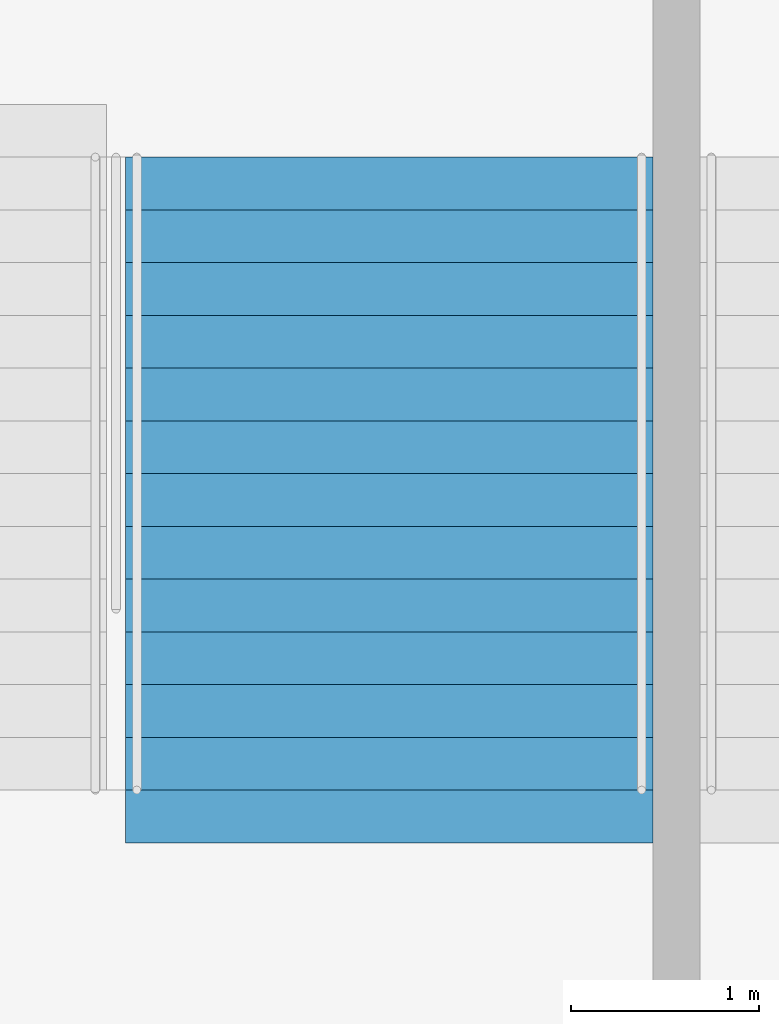
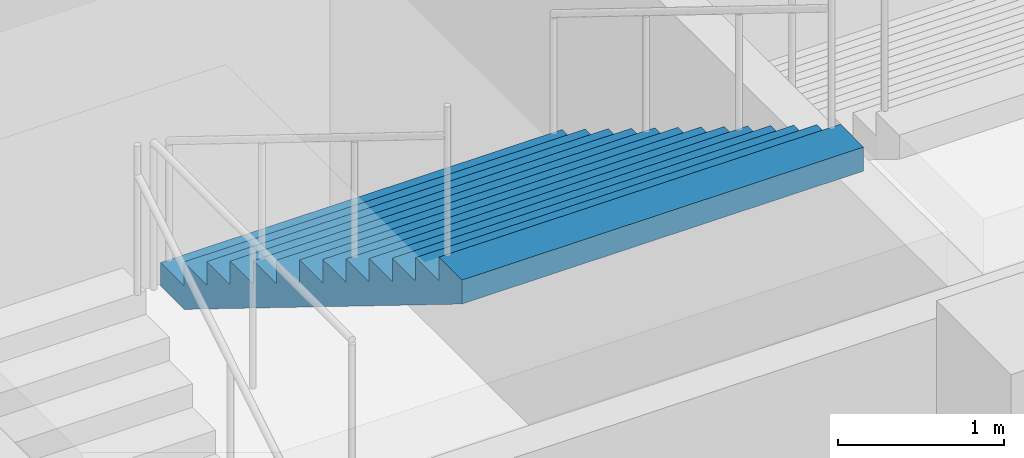
# One storey, part 133 of 175: 1 stair flight, 1 element without a shape of its own.
"""IFC4 building model written with IfcOpenShell, lengths in metres."""

from ifc_helpers import new_model, si_unit, direction, frame, origin, place, context, subcontext, project, spatial, faceted_brep, material, type_object, element, aggregate, save


model = new_model("IFC4")

# Units and contexts
model_context = context("Model", 3, precision=1e-05, world=origin(), true_north=direction((0.0, 1.0)))
body_context = subcontext(model_context, "Body", "Model", "MODEL_VIEW")
ifc_project = project(units=[si_unit("LENGTHUNIT", "METRE"), si_unit("AREAUNIT", "SQUARE_METRE"), si_unit("VOLUMEUNIT", "CUBIC_METRE"), si_unit("PLANEANGLEUNIT", "RADIAN"), si_unit("MASSUNIT", "GRAM", prefix="KILO")], contexts=[model_context])

# Site, building, storey
site_placement = place(None, origin())
site = spatial("IfcSite", under=ifc_project, at=site_placement, CompositionType="ELEMENT")
building_placement = place(site_placement, origin())
building = spatial("IfcBuilding", under=site, at=building_placement, Name="Ogive Plaza Stadium", CompositionType="ELEMENT")
storey_placement = place(building_placement, origin())
storey = spatial("IfcBuildingStorey", under=building, at=storey_placement, Name="L00", CompositionType="ELEMENT", Elevation=0.0)

# Stair, stair flight
ifc_material_1 = material(Name="Concrete C40/50", Category="concrete")
stair_type = type_object("IfcStairType", Name="Exit stair", PredefinedType="STRAIGHT_RUN_STAIR", material=ifc_material_1)
stair_placement = place(storey_placement, origin())
stair = element("IfcStair", 1, at=stair_placement, inside=storey, type_object=stair_type, Name="Exit stair ST34B L00 to L01", PredefinedType="STRAIGHT_RUN_STAIR")
ifc_material_2 = material(Name="Concrete C40/50", Category="concrete")
stair_flight_type = type_object("IfcStairFlightType", Name="Exit stair flight", PredefinedType="STRAIGHT", material=ifc_material_2)
stair_flight_placement = place(storey_placement, frame((-8.324951171875, 98.2099609375, 2.25), z_axis=(0.0, 0.0, 1.0), x_axis=(0.0, -1.0, 0.0)))
stair_flight = element("IfcStairFlight", 2, at=stair_flight_placement, type_object=stair_flight_type, Name="ST34B flight 2", NumberOfRisers=13, NumberOfTreads=12, PredefinedType="STRAIGHT", RiserHeight=0.173076923, TreadLength=0.28, context=body_context, shape_type="Brep", body=[
    faceted_brep([(0.28515625, -1.39990234375, 0.0), (3.639892578125, -1.39990234375, 2.07373046875), (3.639892578125, -1.39990234375, 2.25), (3.360107421875, -1.39990234375, 2.25), (3.360107421875, -1.39990234375, 2.076904296875), (3.080078125, -1.39990234375, 2.076904296875), (3.080078125, -1.39990234375, 1.90380859375), (2.800048828125, -1.39990234375, 1.90380859375), (2.800048828125, -1.39990234375, 1.730712890625), (2.52001953125, -1.39990234375, 1.730712890625), (2.52001953125, -1.39990234375, 1.5576171875), (2.239990234375, -1.39990234375, 1.5576171875), (2.239990234375, -1.39990234375, 1.384521484375), (1.9599609375, -1.39990234375, 1.384521484375), (1.9599609375, -1.39990234375, 1.21142578125), (1.679931640625, -1.39990234375, 1.21142578125), (1.679931640625, -1.39990234375, 1.03857421875), (1.39990234375, -1.39990234375, 1.03857421875), (1.39990234375, -1.39990234375, 0.865478515625), (1.1201171875, -1.39990234375, 0.865478515625), (1.1201171875, -1.39990234375, 0.6923828125), (0.840087890625, -1.39990234375, 0.6923828125), (0.840087890625, -1.39990234375, 0.519287109375), (0.56005859375, -1.39990234375, 0.519287109375), (0.56005859375, -1.39990234375, 0.34619140625), (0.280029296875, -1.39990234375, 0.34619140625), (0.280029296875, -1.39990234375, 0.173095703125), (0.0, -1.39990234375, 0.173095703125), (0.0, -1.39990234375, 0.0), (0.0, 1.39990234375, 0.0), (0.0, 1.39990234375, 0.173095703125), (0.280029296875, 1.39990234375, 0.173095703125), (0.280029296875, 1.39990234375, 0.34619140625), (0.56005859375, 1.39990234375, 0.34619140625), (0.56005859375, 1.39990234375, 0.519287109375), (0.840087890625, 1.39990234375, 0.519287109375), (0.840087890625, 1.39990234375, 0.6923828125), (1.1201171875, 1.39990234375, 0.6923828125), (1.1201171875, 1.39990234375, 0.865478515625), (1.39990234375, 1.39990234375, 0.865478515625), (1.39990234375, 1.39990234375, 1.03857421875), (1.679931640625, 1.39990234375, 1.03857421875), (1.679931640625, 1.39990234375, 1.21142578125), (1.9599609375, 1.39990234375, 1.21142578125), (1.9599609375, 1.39990234375, 1.384521484375), (2.239990234375, 1.39990234375, 1.384521484375), (2.239990234375, 1.39990234375, 1.5576171875), (2.52001953125, 1.39990234375, 1.5576171875), (2.52001953125, 1.39990234375, 1.730712890625), (2.800048828125, 1.39990234375, 1.730712890625), (2.800048828125, 1.39990234375, 1.90380859375), (3.080078125, 1.39990234375, 1.90380859375), (3.080078125, 1.39990234375, 2.076904296875), (3.360107421875, 1.39990234375, 2.076904296875), (3.360107421875, 1.39990234375, 2.25), (3.639892578125, 1.39990234375, 2.25), (3.639892578125, 1.39990234375, 2.07373046875), (0.28515625, 1.39990234375, 0.0), (0.28515625, -1.0888671875, 0.0), (3.639892578125, -1.0888671875, 2.07373046875), (0.28515625, -0.77783203125, 0.0), (3.639892578125, -0.77783203125, 2.07373046875), (0.28515625, -0.466796875, 0.0), (3.639892578125, -0.466796875, 2.07373046875), (0.28515625, -0.155517578125, 0.0), (3.639892578125, -0.155517578125, 2.07373046875), (0.28515625, 0.155517578125, 0.0), (3.639892578125, 0.155517578125, 2.07373046875), (0.28515625, 0.466796875, 0.0), (3.639892578125, 0.466796875, 2.07373046875), (0.28515625, 0.77783203125, 0.0), (3.639892578125, 0.77783203125, 2.07373046875), (0.28515625, 1.0888671875, 0.0), (3.639892578125, 1.0888671875, 2.07373046875), (3.639892578125, -1.0888671875, 2.25), (3.639892578125, -0.77783203125, 2.25), (3.639892578125, -0.466796875, 2.25), (3.639892578125, -0.155517578125, 2.25), (3.639892578125, 0.155517578125, 2.25), (3.639892578125, 0.466796875, 2.25), (3.639892578125, 0.77783203125, 2.25), (3.639892578125, 1.0888671875, 2.25), (3.360107421875, -1.0888671875, 2.25), (3.360107421875, -0.77783203125, 2.25), (3.360107421875, -0.466796875, 2.25), (3.360107421875, -0.155517578125, 2.25), (3.360107421875, 0.155517578125, 2.25), (3.360107421875, 0.466796875, 2.25), (3.360107421875, 0.77783203125, 2.25), (3.360107421875, 1.0888671875, 2.25), (3.360107421875, -1.0888671875, 2.076904296875), (3.360107421875, -0.77783203125, 2.076904296875), (3.360107421875, -0.466796875, 2.076904296875), (3.360107421875, -0.155517578125, 2.076904296875), (3.360107421875, 0.155517578125, 2.076904296875), (3.360107421875, 0.466796875, 2.076904296875), (3.360107421875, 0.77783203125, 2.076904296875), (3.360107421875, 1.0888671875, 2.076904296875), (3.080078125, -1.0888671875, 2.076904296875), (3.080078125, -0.77783203125, 2.076904296875), (3.080078125, -0.466796875, 2.076904296875), (3.080078125, -0.155517578125, 2.076904296875), (3.080078125, 0.155517578125, 2.076904296875), (3.080078125, 0.466796875, 2.076904296875), (3.080078125, 0.77783203125, 2.076904296875), (3.080078125, 1.0888671875, 2.076904296875), (3.080078125, -1.0888671875, 1.90380859375), (3.080078125, -0.77783203125, 1.90380859375), (3.080078125, -0.466796875, 1.90380859375), (3.080078125, -0.155517578125, 1.90380859375), (3.080078125, 0.155517578125, 1.90380859375), (3.080078125, 0.466796875, 1.90380859375), (3.080078125, 0.77783203125, 1.90380859375), (3.080078125, 1.0888671875, 1.90380859375), (2.800048828125, -1.0888671875, 1.90380859375), (2.800048828125, -0.77783203125, 1.90380859375), (2.800048828125, -0.466796875, 1.90380859375), (2.800048828125, -0.155517578125, 1.90380859375), (2.800048828125, 0.155517578125, 1.90380859375), (2.800048828125, 0.466796875, 1.90380859375), (2.800048828125, 0.77783203125, 1.90380859375), (2.800048828125, 1.0888671875, 1.90380859375), (2.800048828125, -1.0888671875, 1.730712890625), (2.800048828125, -0.77783203125, 1.730712890625), (2.800048828125, -0.466796875, 1.730712890625), (2.800048828125, -0.155517578125, 1.730712890625), (2.800048828125, 0.155517578125, 1.730712890625), (2.800048828125, 0.466796875, 1.730712890625), (2.800048828125, 0.77783203125, 1.730712890625), (2.800048828125, 1.0888671875, 1.730712890625), (2.52001953125, -1.0888671875, 1.730712890625), (2.52001953125, -0.77783203125, 1.730712890625), (2.52001953125, -0.466796875, 1.730712890625), (2.52001953125, -0.155517578125, 1.730712890625), (2.52001953125, 0.155517578125, 1.730712890625), (2.52001953125, 0.466796875, 1.730712890625), (2.52001953125, 0.77783203125, 1.730712890625), (2.52001953125, 1.0888671875, 1.730712890625), (2.52001953125, -1.0888671875, 1.5576171875), (2.52001953125, -0.77783203125, 1.5576171875), (2.52001953125, -0.466796875, 1.5576171875), (2.52001953125, -0.155517578125, 1.5576171875), (2.52001953125, 0.155517578125, 1.5576171875), (2.52001953125, 0.466796875, 1.5576171875), (2.52001953125, 0.77783203125, 1.5576171875), (2.52001953125, 1.0888671875, 1.5576171875), (2.239990234375, -1.0888671875, 1.5576171875), (2.239990234375, -0.77783203125, 1.5576171875), (2.239990234375, -0.466796875, 1.5576171875), (2.239990234375, -0.155517578125, 1.5576171875), (2.239990234375, 0.155517578125, 1.5576171875), (2.239990234375, 0.466796875, 1.5576171875), (2.239990234375, 0.77783203125, 1.5576171875), (2.239990234375, 1.0888671875, 1.5576171875), (2.239990234375, -1.0888671875, 1.384521484375), (2.239990234375, -0.77783203125, 1.384521484375), (2.239990234375, -0.466796875, 1.384521484375), (2.239990234375, -0.155517578125, 1.384521484375), (2.239990234375, 0.155517578125, 1.384521484375), (2.239990234375, 0.466796875, 1.384521484375), (2.239990234375, 0.77783203125, 1.384521484375), (2.239990234375, 1.0888671875, 1.384521484375), (1.9599609375, -1.0888671875, 1.384521484375), (1.9599609375, -0.77783203125, 1.384521484375), (1.9599609375, -0.466796875, 1.384521484375), (1.9599609375, -0.155517578125, 1.384521484375), (1.9599609375, 0.155517578125, 1.384521484375), (1.9599609375, 0.466796875, 1.384521484375), (1.9599609375, 0.77783203125, 1.384521484375), (1.9599609375, 1.0888671875, 1.384521484375), (1.9599609375, -1.0888671875, 1.21142578125), (1.9599609375, -0.77783203125, 1.21142578125), (1.9599609375, -0.466796875, 1.21142578125), (1.9599609375, -0.155517578125, 1.21142578125), (1.9599609375, 0.155517578125, 1.21142578125), (1.9599609375, 0.466796875, 1.21142578125), (1.9599609375, 0.77783203125, 1.21142578125), (1.9599609375, 1.0888671875, 1.21142578125), (1.679931640625, -1.0888671875, 1.21142578125), (1.679931640625, -0.77783203125, 1.21142578125), (1.679931640625, -0.466796875, 1.21142578125), (1.679931640625, -0.155517578125, 1.21142578125), (1.679931640625, 0.155517578125, 1.21142578125), (1.679931640625, 0.466796875, 1.21142578125), (1.679931640625, 0.77783203125, 1.21142578125), (1.679931640625, 1.0888671875, 1.21142578125), (1.679931640625, -1.0888671875, 1.03857421875), (1.679931640625, -0.77783203125, 1.03857421875), (1.679931640625, -0.466796875, 1.03857421875), (1.679931640625, -0.155517578125, 1.03857421875), (1.679931640625, 0.155517578125, 1.03857421875), (1.679931640625, 0.466796875, 1.03857421875), (1.679931640625, 0.77783203125, 1.03857421875), (1.679931640625, 1.0888671875, 1.03857421875), (1.39990234375, -1.0888671875, 1.03857421875), (1.39990234375, -0.77783203125, 1.03857421875), (1.39990234375, -0.466796875, 1.03857421875), (1.39990234375, -0.155517578125, 1.03857421875), (1.39990234375, 0.155517578125, 1.03857421875), (1.39990234375, 0.466796875, 1.03857421875), (1.39990234375, 0.77783203125, 1.03857421875), (1.39990234375, 1.0888671875, 1.03857421875), (1.39990234375, -1.0888671875, 0.865478515625), (1.39990234375, -0.77783203125, 0.865478515625), (1.39990234375, -0.466796875, 0.865478515625), (1.39990234375, -0.155517578125, 0.865478515625), (1.39990234375, 0.155517578125, 0.865478515625), (1.39990234375, 0.466796875, 0.865478515625), (1.39990234375, 0.77783203125, 0.865478515625), (1.39990234375, 1.0888671875, 0.865478515625), (1.1201171875, -1.0888671875, 0.865478515625), (1.1201171875, -0.77783203125, 0.865478515625), (1.1201171875, -0.466796875, 0.865478515625), (1.1201171875, -0.155517578125, 0.865478515625), (1.1201171875, 0.155517578125, 0.865478515625), (1.1201171875, 0.466796875, 0.865478515625), (1.1201171875, 0.77783203125, 0.865478515625), (1.1201171875, 1.0888671875, 0.865478515625), (1.1201171875, -1.0888671875, 0.6923828125), (1.1201171875, -0.77783203125, 0.6923828125), (1.1201171875, -0.466796875, 0.6923828125), (1.1201171875, -0.155517578125, 0.6923828125), (1.1201171875, 0.155517578125, 0.6923828125), (1.1201171875, 0.466796875, 0.6923828125), (1.1201171875, 0.77783203125, 0.6923828125), (1.1201171875, 1.0888671875, 0.6923828125), (0.840087890625, -1.0888671875, 0.6923828125), (0.840087890625, -0.77783203125, 0.6923828125), (0.840087890625, -0.466796875, 0.6923828125), (0.840087890625, -0.155517578125, 0.6923828125), (0.840087890625, 0.155517578125, 0.6923828125), (0.840087890625, 0.466796875, 0.6923828125), (0.840087890625, 0.77783203125, 0.6923828125), (0.840087890625, 1.0888671875, 0.6923828125), (0.840087890625, -1.0888671875, 0.519287109375), (0.840087890625, -0.77783203125, 0.519287109375), (0.840087890625, -0.466796875, 0.519287109375), (0.840087890625, -0.155517578125, 0.519287109375), (0.840087890625, 0.155517578125, 0.519287109375), (0.840087890625, 0.466796875, 0.519287109375), (0.840087890625, 0.77783203125, 0.519287109375), (0.840087890625, 1.0888671875, 0.519287109375), (0.56005859375, -1.0888671875, 0.519287109375), (0.56005859375, -0.77783203125, 0.519287109375), (0.56005859375, -0.466796875, 0.519287109375), (0.56005859375, -0.155517578125, 0.519287109375), (0.56005859375, 0.155517578125, 0.519287109375), (0.56005859375, 0.466796875, 0.519287109375), (0.56005859375, 0.77783203125, 0.519287109375), (0.56005859375, 1.0888671875, 0.519287109375), (0.56005859375, -1.0888671875, 0.34619140625), (0.56005859375, -0.77783203125, 0.34619140625), (0.56005859375, -0.466796875, 0.34619140625), (0.56005859375, -0.155517578125, 0.34619140625), (0.56005859375, 0.155517578125, 0.34619140625), (0.56005859375, 0.466796875, 0.34619140625), (0.56005859375, 0.77783203125, 0.34619140625), (0.56005859375, 1.0888671875, 0.34619140625), (0.280029296875, -1.0888671875, 0.34619140625), (0.280029296875, -0.77783203125, 0.34619140625), (0.280029296875, -0.466796875, 0.34619140625), (0.280029296875, -0.155517578125, 0.34619140625), (0.280029296875, 0.155517578125, 0.34619140625), (0.280029296875, 0.466796875, 0.34619140625), (0.280029296875, 0.77783203125, 0.34619140625), (0.280029296875, 1.0888671875, 0.34619140625), (0.280029296875, -1.0888671875, 0.173095703125), (0.280029296875, -0.77783203125, 0.173095703125), (0.280029296875, -0.466796875, 0.173095703125), (0.280029296875, -0.155517578125, 0.173095703125), (0.280029296875, 0.155517578125, 0.173095703125), (0.280029296875, 0.466796875, 0.173095703125), (0.280029296875, 0.77783203125, 0.173095703125), (0.280029296875, 1.0888671875, 0.173095703125), (0.0, -1.0888671875, 0.173095703125), (0.0, -0.77783203125, 0.173095703125), (0.0, -0.466796875, 0.173095703125), (0.0, -0.155517578125, 0.173095703125), (0.0, 0.155517578125, 0.173095703125), (0.0, 0.466796875, 0.173095703125), (0.0, 0.77783203125, 0.173095703125), (0.0, 1.0888671875, 0.173095703125), (0.0, -1.0888671875, 0.0), (0.0, -0.77783203125, 0.0), (0.0, -0.466796875, 0.0), (0.0, -0.155517578125, 0.0), (0.0, 0.155517578125, 0.0), (0.0, 0.466796875, 0.0), (0.0, 0.77783203125, 0.0), (0.0, 1.0888671875, 0.0)], [[[0, 1, 2, 3, 4, 5, 6, 7, 8, 9, 10, 11, 12, 13, 14, 15, 16, 17, 18, 19, 20, 21, 22, 23, 24, 25, 26, 27, 28]], [[29, 30, 31, 32, 33, 34, 35, 36, 37, 38, 39, 40, 41, 42, 43, 44, 45, 46, 47, 48, 49, 50, 51, 52, 53, 54, 55, 56, 57]], [[0, 58, 59, 1]], [[58, 60, 61, 59]], [[60, 62, 63, 61]], [[62, 64, 65, 63]], [[64, 66, 67, 65]], [[66, 68, 69, 67]], [[68, 70, 71, 69]], [[70, 72, 73, 71]], [[72, 57, 56, 73]], [[1, 59, 74, 2]], [[59, 61, 75, 74]], [[61, 63, 76, 75]], [[63, 65, 77, 76]], [[65, 67, 78, 77]], [[67, 69, 79, 78]], [[69, 71, 80, 79]], [[71, 73, 81, 80]], [[73, 56, 55, 81]], [[2, 74, 82, 3]], [[74, 75, 83, 82]], [[75, 76, 84, 83]], [[76, 77, 85, 84]], [[77, 78, 86, 85]], [[78, 79, 87, 86]], [[79, 80, 88, 87]], [[80, 81, 89, 88]], [[81, 55, 54, 89]], [[3, 82, 90, 4]], [[82, 83, 91, 90]], [[83, 84, 92, 91]], [[84, 85, 93, 92]], [[85, 86, 94, 93]], [[86, 87, 95, 94]], [[87, 88, 96, 95]], [[88, 89, 97, 96]], [[89, 54, 53, 97]], [[4, 90, 98, 5]], [[90, 91, 99, 98]], [[91, 92, 100, 99]], [[92, 93, 101, 100]], [[93, 94, 102, 101]], [[94, 95, 103, 102]], [[95, 96, 104, 103]], [[96, 97, 105, 104]], [[97, 53, 52, 105]], [[5, 98, 106, 6]], [[98, 99, 107, 106]], [[99, 100, 108, 107]], [[100, 101, 109, 108]], [[101, 102, 110, 109]], [[102, 103, 111, 110]], [[103, 104, 112, 111]], [[104, 105, 113, 112]], [[105, 52, 51, 113]], [[6, 106, 114, 7]], [[106, 107, 115, 114]], [[107, 108, 116, 115]], [[108, 109, 117, 116]], [[109, 110, 118, 117]], [[110, 111, 119, 118]], [[111, 112, 120, 119]], [[112, 113, 121, 120]], [[113, 51, 50, 121]], [[7, 114, 122, 8]], [[114, 115, 123, 122]], [[115, 116, 124, 123]], [[116, 117, 125, 124]], [[117, 118, 126, 125]], [[118, 119, 127, 126]], [[119, 120, 128, 127]], [[120, 121, 129, 128]], [[121, 50, 49, 129]], [[8, 122, 130, 9]], [[122, 123, 131, 130]], [[123, 124, 132, 131]], [[124, 125, 133, 132]], [[125, 126, 134, 133]], [[126, 127, 135, 134]], [[127, 128, 136, 135]], [[128, 129, 137, 136]], [[129, 49, 48, 137]], [[9, 130, 138, 10]], [[130, 131, 139, 138]], [[131, 132, 140, 139]], [[132, 133, 141, 140]], [[133, 134, 142, 141]], [[134, 135, 143, 142]], [[135, 136, 144, 143]], [[136, 137, 145, 144]], [[137, 48, 47, 145]], [[10, 138, 146, 11]], [[138, 139, 147, 146]], [[139, 140, 148, 147]], [[140, 141, 149, 148]], [[141, 142, 150, 149]], [[142, 143, 151, 150]], [[143, 144, 152, 151]], [[144, 145, 153, 152]], [[145, 47, 46, 153]], [[11, 146, 154, 12]], [[146, 147, 155, 154]], [[147, 148, 156, 155]], [[148, 149, 157, 156]], [[149, 150, 158, 157]], [[150, 151, 159, 158]], [[151, 152, 160, 159]], [[152, 153, 161, 160]], [[153, 46, 45, 161]], [[12, 154, 162, 13]], [[154, 155, 163, 162]], [[155, 156, 164, 163]], [[156, 157, 165, 164]], [[157, 158, 166, 165]], [[158, 159, 167, 166]], [[159, 160, 168, 167]], [[160, 161, 169, 168]], [[161, 45, 44, 169]], [[13, 162, 170, 14]], [[162, 163, 171, 170]], [[163, 164, 172, 171]], [[164, 165, 173, 172]], [[165, 166, 174, 173]], [[166, 167, 175, 174]], [[167, 168, 176, 175]], [[168, 169, 177, 176]], [[169, 44, 43, 177]], [[14, 170, 178, 15]], [[170, 171, 179, 178]], [[171, 172, 180, 179]], [[172, 173, 181, 180]], [[173, 174, 182, 181]], [[174, 175, 183, 182]], [[175, 176, 184, 183]], [[176, 177, 185, 184]], [[177, 43, 42, 185]], [[15, 178, 186, 16]], [[178, 179, 187, 186]], [[179, 180, 188, 187]], [[180, 181, 189, 188]], [[181, 182, 190, 189]], [[182, 183, 191, 190]], [[183, 184, 192, 191]], [[184, 185, 193, 192]], [[185, 42, 41, 193]], [[16, 186, 194, 17]], [[186, 187, 195, 194]], [[187, 188, 196, 195]], [[188, 189, 197, 196]], [[189, 190, 198, 197]], [[190, 191, 199, 198]], [[191, 192, 200, 199]], [[192, 193, 201, 200]], [[193, 41, 40, 201]], [[17, 194, 202, 18]], [[194, 195, 203, 202]], [[195, 196, 204, 203]], [[196, 197, 205, 204]], [[197, 198, 206, 205]], [[198, 199, 207, 206]], [[199, 200, 208, 207]], [[200, 201, 209, 208]], [[201, 40, 39, 209]], [[18, 202, 210, 19]], [[202, 203, 211, 210]], [[203, 204, 212, 211]], [[204, 205, 213, 212]], [[205, 206, 214, 213]], [[206, 207, 215, 214]], [[207, 208, 216, 215]], [[208, 209, 217, 216]], [[209, 39, 38, 217]], [[19, 210, 218, 20]], [[210, 211, 219, 218]], [[211, 212, 220, 219]], [[212, 213, 221, 220]], [[213, 214, 222, 221]], [[214, 215, 223, 222]], [[215, 216, 224, 223]], [[216, 217, 225, 224]], [[217, 38, 37, 225]], [[20, 218, 226, 21]], [[218, 219, 227, 226]], [[219, 220, 228, 227]], [[220, 221, 229, 228]], [[221, 222, 230, 229]], [[222, 223, 231, 230]], [[223, 224, 232, 231]], [[224, 225, 233, 232]], [[225, 37, 36, 233]], [[21, 226, 234, 22]], [[226, 227, 235, 234]], [[227, 228, 236, 235]], [[228, 229, 237, 236]], [[229, 230, 238, 237]], [[230, 231, 239, 238]], [[231, 232, 240, 239]], [[232, 233, 241, 240]], [[233, 36, 35, 241]], [[22, 234, 242, 23]], [[234, 235, 243, 242]], [[235, 236, 244, 243]], [[236, 237, 245, 244]], [[237, 238, 246, 245]], [[238, 239, 247, 246]], [[239, 240, 248, 247]], [[240, 241, 249, 248]], [[241, 35, 34, 249]], [[23, 242, 250, 24]], [[242, 243, 251, 250]], [[243, 244, 252, 251]], [[244, 245, 253, 252]], [[245, 246, 254, 253]], [[246, 247, 255, 254]], [[247, 248, 256, 255]], [[248, 249, 257, 256]], [[249, 34, 33, 257]], [[24, 250, 258, 25]], [[250, 251, 259, 258]], [[251, 252, 260, 259]], [[252, 253, 261, 260]], [[253, 254, 262, 261]], [[254, 255, 263, 262]], [[255, 256, 264, 263]], [[256, 257, 265, 264]], [[257, 33, 32, 265]], [[25, 258, 266, 26]], [[258, 259, 267, 266]], [[259, 260, 268, 267]], [[260, 261, 269, 268]], [[261, 262, 270, 269]], [[262, 263, 271, 270]], [[263, 264, 272, 271]], [[264, 265, 273, 272]], [[265, 32, 31, 273]], [[26, 266, 274, 27]], [[266, 267, 275, 274]], [[267, 268, 276, 275]], [[268, 269, 277, 276]], [[269, 270, 278, 277]], [[270, 271, 279, 278]], [[271, 272, 280, 279]], [[272, 273, 281, 280]], [[273, 31, 30, 281]], [[27, 274, 282, 28]], [[274, 275, 283, 282]], [[275, 276, 284, 283]], [[276, 277, 285, 284]], [[277, 278, 286, 285]], [[278, 279, 287, 286]], [[279, 280, 288, 287]], [[280, 281, 289, 288]], [[281, 30, 29, 289]], [[28, 282, 58, 0]], [[282, 283, 60, 58]], [[283, 284, 62, 60]], [[284, 285, 64, 62]], [[285, 286, 66, 64]], [[286, 287, 68, 66]], [[287, 288, 70, 68]], [[288, 289, 72, 70]], [[289, 29, 57, 72]]]),
])
aggregate(stair, [stair_flight])

save(model, "model.ifc")
